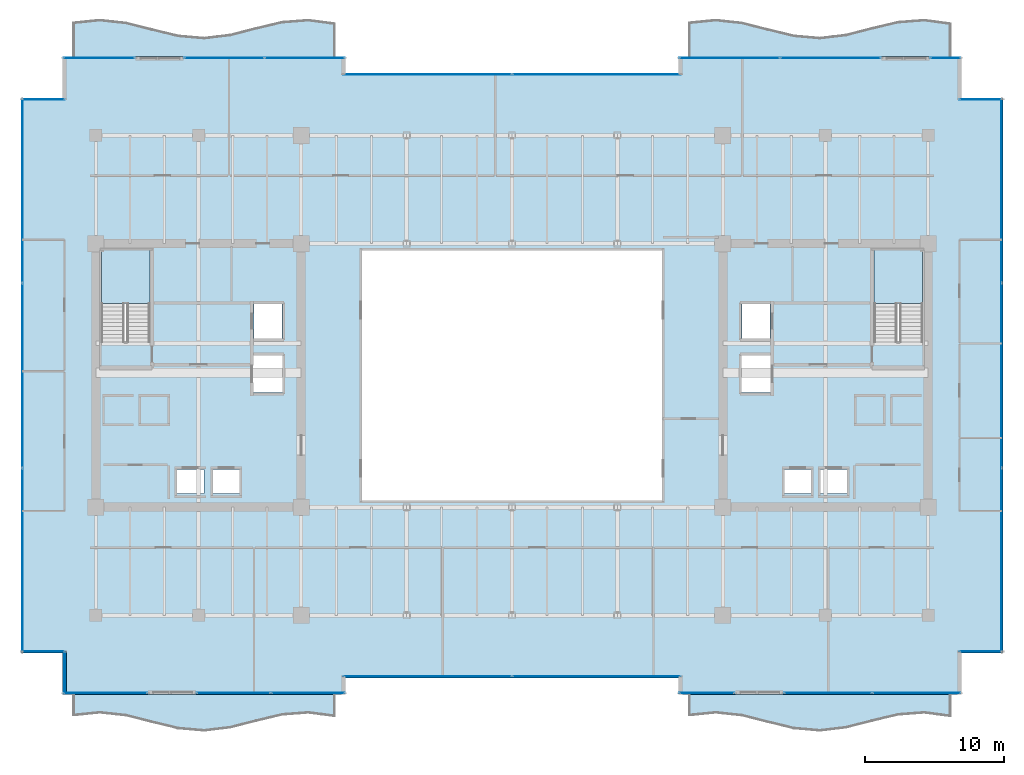
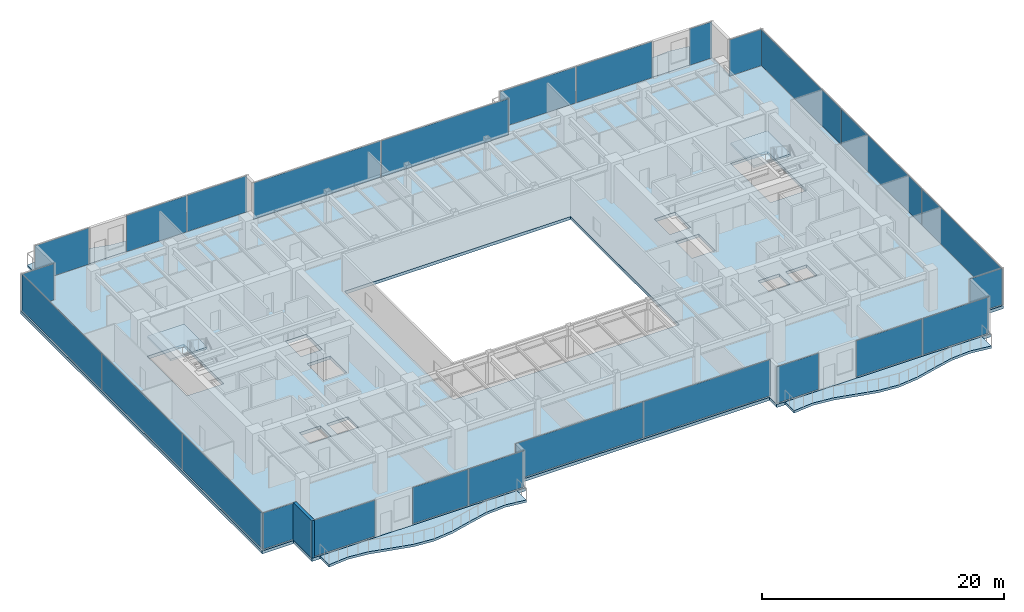
# One storey, part 22 of 30: 26 plates, 7 slabs, 1 wall, 18 elements without a shape of their own.
"""IFC4 building model written with IfcOpenShell, lengths in metres."""

from ifc_helpers import new_model, si_unit, direction, frame, frame_2d, origin, origin_2d, place, context, subcontext, project, spatial, polyline, rectangle, outline, extrude, source, transform, mapped, material, layer, layer_set, type_object, type_shapes, element, aggregate, save


model = new_model("IFC4")

# Units and contexts
model_context = context("Model", 3, precision=1e-05, world=origin(), true_north=direction((0.0, 1.0)))
body_context = subcontext(model_context, "Body", "Model", "MODEL_VIEW")
ifc_project = project(units=[si_unit("LENGTHUNIT", "METRE"), si_unit("AREAUNIT", "SQUARE_METRE"), si_unit("VOLUMEUNIT", "CUBIC_METRE"), si_unit("PLANEANGLEUNIT", "RADIAN"), si_unit("MASSUNIT", "GRAM", prefix="KILO")], contexts=[model_context])

# Site, building, storey
site_placement = place(None, origin())
site = spatial("IfcSite", under=ifc_project, at=site_placement, CompositionType="ELEMENT")
building_placement = place(site_placement, origin())
building = spatial("IfcBuilding", under=site, at=building_placement, Name="Haelvirn Gate Laboratories", CompositionType="ELEMENT")
storey_placement = place(building_placement, frame((0.0, 0.0, 146.10009765625)))
storey = spatial("IfcBuildingStorey", under=building, at=storey_placement, Name="L35", CompositionType="ELEMENT", Elevation=146.10009765625)

# Stair, slab
ifc_material_1 = material(Name="Concrete C40/50", Category="concrete")
stair_type = type_object("IfcStairType", Name="ST-DOG-1650-R22", PredefinedType="HALF_TURN_STAIR", material=ifc_material_1)
stair_1_placement = place(storey_placement, origin())
stair_1 = element("IfcStair", 1, at=stair_1_placement, inside=storey, type_object=stair_type, Name="L35 Escape Stair ST1", PredefinedType="HALF_TURN_STAIR")
ifc_layer_1 = layer(ifc_material_1, 0.199951171875, Name="SL-STAIR-LND")
ifc_layer_set_1 = layer_set([ifc_layer_1], Name="Concrete C40/50")
slab_type_1 = type_object("IfcSlabType", Name="SL-STAIR-LND", PredefinedType="LANDING", material=ifc_layer_set_1)
slab_1_placement = place(storey_placement, frame((0.0, 0.0, 1.849853515625)))
slab_1 = element("IfcSlab", 2, at=slab_1_placement, type_object=slab_type_1, Name="ST1 landing 1", PredefinedType="LANDING", context=body_context, shape_type="SweptSolid", body=[
    extrude(outline(polyline([(11.300048828125, 29.5), (11.300048828125, 33.35009765625), (7.800048828125, 33.35009765625), (7.800048828125, 29.5), (11.300048828125, 29.5)])), origin(), (0.0, 0.0, 1.0), 0.199951171875),
])
aggregate(stair_1, [slab_1])

stair_2_placement = place(storey_placement, origin())
stair_2 = element("IfcStair", 3, at=stair_2_placement, inside=storey, type_object=stair_type, Name="L35 Escape Stair ST2", PredefinedType="HALF_TURN_STAIR")
slab_2_placement = place(storey_placement, frame((0.0, 0.0, 1.849853515625)))
slab_2 = element("IfcSlab", 4, at=slab_2_placement, type_object=slab_type_1, Name="ST2 landing 1", PredefinedType="LANDING", context=body_context, shape_type="SweptSolid", body=[
    extrude(outline(polyline([(67.0, 29.5), (67.0, 33.35009765625), (63.5, 33.35009765625), (63.5, 29.5), (67.0, 29.5)])), origin(), (0.0, 0.0, 1.0), 0.199951171875),
])
aggregate(stair_2, [slab_2])

# Slabs
ifc_layer_2 = layer(ifc_material_1, 0.2451171875, Name="SL-WB-P6")
ifc_layer_set_2 = layer_set([ifc_layer_2], Name="Concrete C40/50")
slab_type_2 = type_object("IfcSlabType", Name="SL-WB-P6", PredefinedType="FLOOR", material=ifc_layer_set_2)
slab_3_placement = place(storey_placement, frame((0.0, 0.0, -0.2451171875)))
element("IfcSlab", 5, at=slab_3_placement, inside=storey, type_object=slab_type_2, Name="L35 Soft-Wave Balcony WL-S", PredefinedType="FLOOR", context=body_context, shape_type="SweptSolid", body=[
    extrude(outline(polyline([(5.800048828125, -0.1904296875), (7.679931640625, 0.0), (9.56005859375, -0.2021484375), (11.43994140625, -0.6748046875), (13.320068359375, -1.13232421875), (15.199951171875, -1.298583984375), (17.080078125, -1.0732421875), (18.9599609375, -0.592041015625), (20.840087890625, -0.14599609375), (22.719970703125, -0.00439453125), (24.60009765625, -0.25244140625), (24.60009765625, 1.300048828125), (22.719970703125, 1.300048828125), (20.840087890625, 1.300048828125), (18.9599609375, 1.300048828125), (17.080078125, 1.300048828125), (15.199951171875, 1.300048828125), (13.320068359375, 1.300048828125), (11.43994140625, 1.300048828125), (9.56005859375, 1.300048828125), (7.679931640625, 1.300048828125), (5.800048828125, 1.300048828125), (5.800048828125, -0.1904296875)])), origin(), (0.0, 0.0, 1.0), 0.2451171875),
])
slab_4_placement = place(storey_placement, frame((0.0, 0.0, -0.2451171875)))
element("IfcSlab", 6, at=slab_4_placement, inside=storey, type_object=slab_type_2, Name="L35 Soft-Wave Balcony WL-N", PredefinedType="FLOOR", context=body_context, shape_type="SweptSolid", body=[
    extrude(outline(polyline([(5.800048828125, 47.300048828125), (7.679931640625, 47.300048828125), (9.56005859375, 47.300048828125), (11.43994140625, 47.300048828125), (13.320068359375, 47.300048828125), (15.199951171875, 47.300048828125), (17.080078125, 47.300048828125), (18.9599609375, 47.300048828125), (20.840087890625, 47.300048828125), (22.719970703125, 47.300048828125), (24.60009765625, 47.300048828125), (24.60009765625, 49.6474609375), (22.719970703125, 49.895751953125), (20.840087890625, 49.75390625), (18.9599609375, 49.307861328125), (17.080078125, 48.826904296875), (15.199951171875, 48.601318359375), (13.320068359375, 48.767578125), (11.43994140625, 49.22509765625), (9.56005859375, 49.69775390625), (7.679931640625, 49.89990234375), (5.800048828125, 49.709716796875), (5.800048828125, 47.300048828125)])), origin(), (0.0, 0.0, 1.0), 0.2451171875),
])
slab_5_placement = place(storey_placement, frame((0.0, 0.0, -0.2451171875)))
element("IfcSlab", 7, at=slab_5_placement, inside=storey, type_object=slab_type_2, Name="L35 Soft-Wave Balcony EL-S", PredefinedType="FLOOR", context=body_context, shape_type="SweptSolid", body=[
    extrude(outline(polyline([(50.199951171875, -0.1904296875), (52.080078125, 0.0), (53.9599609375, -0.2021484375), (55.840087890625, -0.6748046875), (57.719970703125, -1.13232421875), (59.60009765625, -1.298583984375), (61.47998046875, -1.0732421875), (63.360107421875, -0.592041015625), (65.239990234375, -0.14599609375), (67.1201171875, -0.00439453125), (69.0, -0.25244140625), (69.0, 1.300048828125), (67.1201171875, 1.300048828125), (65.239990234375, 1.300048828125), (63.360107421875, 1.300048828125), (61.47998046875, 1.300048828125), (59.60009765625, 1.300048828125), (57.719970703125, 1.300048828125), (55.840087890625, 1.300048828125), (53.9599609375, 1.300048828125), (52.080078125, 1.300048828125), (50.199951171875, 1.300048828125), (50.199951171875, -0.1904296875)])), origin(), (0.0, 0.0, 1.0), 0.2451171875),
])
slab_6_placement = place(storey_placement, frame((0.0, 0.0, -0.2451171875)))
element("IfcSlab", 8, at=slab_6_placement, inside=storey, type_object=slab_type_2, Name="L35 Soft-Wave Balcony EL-N", PredefinedType="FLOOR", context=body_context, shape_type="SweptSolid", body=[
    extrude(outline(polyline([(50.199951171875, 47.300048828125), (52.080078125, 47.300048828125), (53.9599609375, 47.300048828125), (55.840087890625, 47.300048828125), (57.719970703125, 47.300048828125), (59.60009765625, 47.300048828125), (61.47998046875, 47.300048828125), (63.360107421875, 47.300048828125), (65.239990234375, 47.300048828125), (67.1201171875, 47.300048828125), (69.0, 47.300048828125), (69.0, 49.6474609375), (67.1201171875, 49.895751953125), (65.239990234375, 49.75390625), (63.360107421875, 49.307861328125), (61.47998046875, 48.826904296875), (59.60009765625, 48.601318359375), (57.719970703125, 48.767578125), (55.840087890625, 49.22509765625), (53.9599609375, 49.69775390625), (52.080078125, 49.89990234375), (50.199951171875, 49.709716796875), (50.199951171875, 47.300048828125)])), origin(), (0.0, 0.0, 1.0), 0.2451171875),
])
ifc_layer_3 = layer(ifc_material_1, 0.31005859375, Name="SL-Z2-310")
ifc_layer_set_3 = layer_set([ifc_layer_3], Name="Concrete C40/50")
slab_type_3 = type_object("IfcSlabType", Name="SL-Z2-310", PredefinedType="FLOOR", material=ifc_layer_set_3)
slab_7_placement = place(storey_placement, frame((0.0, 0.0, -0.31005859375)))
element("IfcSlab", 9, at=slab_7_placement, inside=storey, type_object=slab_type_3, Name="L35 Structural Slab MAIN", PredefinedType="FLOOR", context=body_context, shape_type="SweptSolid", body=[
    extrude(outline(polyline([(5.0, 1.300048828125), (25.39990234375, 1.300048828125), (25.39990234375, 2.5), (49.39990234375, 2.5), (49.39990234375, 1.300048828125), (69.800048828125, 1.300048828125), (69.800048828125, 4.300048828125), (72.800048828125, 4.300048828125), (72.800048828125, 44.300048828125), (69.800048828125, 44.300048828125), (69.800048828125, 47.300048828125), (49.39990234375, 47.300048828125), (49.39990234375, 46.10009765625), (25.39990234375, 46.10009765625), (25.39990234375, 47.300048828125), (5.0, 47.300048828125), (5.0, 44.300048828125), (2.0, 44.300048828125), (2.0, 4.300048828125), (5.0, 4.300048828125), (5.0, 1.300048828125)]), holes=[polyline([(26.60009765625, 15.300048828125), (48.199951171875, 15.300048828125), (48.199951171875, 33.300048828125), (26.60009765625, 33.300048828125), (26.60009765625, 15.300048828125)]), polyline([(11.300048828125, 26.780029296875), (11.300048828125, 33.35009765625), (7.800048828125, 33.35009765625), (7.800048828125, 26.780029296875), (11.300048828125, 26.780029296875)]), polyline([(67.0, 26.780029296875), (67.0, 33.35009765625), (63.5, 33.35009765625), (63.5, 26.780029296875), (67.0, 26.780029296875)]), polyline([(13.18994140625, 15.77001953125), (15.2099609375, 15.77001953125), (15.2099609375, 17.510009765625), (13.18994140625, 17.510009765625), (13.18994140625, 15.77001953125)]), polyline([(15.7900390625, 15.77001953125), (17.81005859375, 15.77001953125), (17.81005859375, 17.510009765625), (15.7900390625, 17.510009765625), (15.7900390625, 15.77001953125)]), polyline([(18.7900390625, 26.969970703125), (20.81005859375, 26.969970703125), (20.81005859375, 29.510009765625), (18.7900390625, 29.510009765625), (18.7900390625, 26.969970703125)]), polyline([(18.68994140625, 23.070068359375), (20.909912109375, 23.070068359375), (20.909912109375, 25.81005859375), (18.68994140625, 25.81005859375), (18.68994140625, 23.070068359375)]), polyline([(59.590087890625, 15.77001953125), (61.610107421875, 15.77001953125), (61.610107421875, 17.510009765625), (59.590087890625, 17.510009765625), (59.590087890625, 15.77001953125)]), polyline([(56.989990234375, 15.77001953125), (59.010009765625, 15.77001953125), (59.010009765625, 17.510009765625), (56.989990234375, 17.510009765625), (56.989990234375, 15.77001953125)]), polyline([(53.989990234375, 26.969970703125), (56.010009765625, 26.969970703125), (56.010009765625, 29.510009765625), (53.989990234375, 29.510009765625), (53.989990234375, 26.969970703125)]), polyline([(53.889892578125, 23.070068359375), (56.110107421875, 23.070068359375), (56.110107421875, 25.81005859375), (53.889892578125, 25.81005859375), (53.889892578125, 23.070068359375)])]), origin(), (0.0, 0.0, 1.0), 0.31005859375),
])

# Curtain wall, plates
ifc_material_2 = material(Name="Anodised bronze unitised aluminium & triple low-E glass", Category="aluminium")
ifc_layer_4 = layer(ifc_material_2, 0.179931640625, Name="CW-SYS-3")
ifc_layer_set_4 = layer_set([ifc_layer_4], Name="Anodised bronze unitised aluminium & triple low-E glass")
curtain_wall_type_1 = type_object("IfcCurtainWallType", Name="CW-SYS-3", PredefinedType="NOTDEFINED", material=ifc_layer_set_4)
curtain_wall_1_placement = place(storey_placement, origin())
curtain_wall_1 = element("IfcCurtainWall", 10, at=curtain_wall_1_placement, inside=storey, type_object=curtain_wall_type_1, Name="L35 Unitised Curtain Wall CW-L35-P0-E02-1", PredefinedType="NOTDEFINED")
ifc_material_3 = material(Name="High-selectivity bronze triple IGU 40 mm", Category="glass")
ifc_layer_5 = layer(ifc_material_3, 0.0400390625, Name="CWP-IGU-40")
ifc_layer_set_5 = layer_set([ifc_layer_5], Name="High-selectivity bronze triple IGU 40 mm")
plate_type_1 = type_object("IfcPlateType", Name="CWP-IGU-40", PredefinedType="CURTAIN_PANEL", material=ifc_layer_set_5)
shared_shape_1 = source(origin(), body_context, "Body", "SweptSolid", [
    extrude(rectangle(XDim=12.12744140625, YDim=0.0400390625, at=origin_2d()), origin(), (0.0, 0.0, 1.0), 3.659912109375),
])
plate_1_placement = place(storey_placement, frame((31.298828125, 2.60009765625, 0.06494140625), z_axis=(0.0, 0.0, 1.0), x_axis=(1.0, 0.0, 0.0)))
plate_1 = element("IfcPlate", 11, at=plate_1_placement, type_object=plate_type_1, Name="CW3 panel 1.1", PredefinedType="CURTAIN_PANEL", context=body_context, shape_type="MappedRepresentation", body=[
    mapped(shared_shape_1, transform((0.0, 0.0, 0.0), scale=1.0)),
])
plate_2_placement = place(storey_placement, frame((43.501220703125, 2.60009765625, 0.06494140625), z_axis=(0.0, 0.0, 1.0), x_axis=(1.0, 0.0, 0.0)))
plate_2 = element("IfcPlate", 12, at=plate_2_placement, type_object=plate_type_1, Name="CW3 panel 2.1", PredefinedType="CURTAIN_PANEL", context=body_context, shape_type="MappedRepresentation", body=[
    mapped(shared_shape_1, transform((0.0, 0.0, 0.0), scale=1.0)),
])
aggregate(curtain_wall_1, [plate_1, plate_2])

curtain_wall_2_placement = place(storey_placement, origin())
curtain_wall_2 = element("IfcCurtainWall", 13, at=curtain_wall_2_placement, inside=storey, type_object=curtain_wall_type_1, Name="L35 Unitised Curtain Wall CW-L35-P0-E12-1", PredefinedType="NOTDEFINED")
plate_3_placement = place(storey_placement, frame((31.298828125, 46.0, 0.06494140625), z_axis=(0.0, 0.0, 1.0), x_axis=(1.0, 0.0, 0.0)))
plate_3 = element("IfcPlate", 14, at=plate_3_placement, type_object=plate_type_1, Name="CW3 panel 1.1", PredefinedType="CURTAIN_PANEL", context=body_context, shape_type="MappedRepresentation", body=[
    mapped(shared_shape_1, transform((0.0, 0.0, 0.0), scale=1.0)),
])
plate_4_placement = place(storey_placement, frame((43.501220703125, 46.0, 0.06494140625), z_axis=(0.0, 0.0, 1.0), x_axis=(1.0, 0.0, 0.0)))
plate_4 = element("IfcPlate", 15, at=plate_4_placement, type_object=plate_type_1, Name="CW3 panel 2.1", PredefinedType="CURTAIN_PANEL", context=body_context, shape_type="MappedRepresentation", body=[
    mapped(shared_shape_1, transform((0.0, 0.0, 0.0), scale=1.0)),
])
aggregate(curtain_wall_2, [plate_3, plate_4])

# Curtain wall, plate
ifc_layer_6 = layer(ifc_material_2, 0.181884765625, Name="CW-SYS-5")
ifc_layer_set_6 = layer_set([ifc_layer_6], Name="Anodised bronze unitised aluminium & triple low-E glass")
curtain_wall_type_2 = type_object("IfcCurtainWallType", Name="CW-SYS-5", PredefinedType="NOTDEFINED", material=ifc_layer_set_6)
curtain_wall_3_placement = place(storey_placement, origin())
curtain_wall_3 = element("IfcCurtainWall", 16, at=curtain_wall_3_placement, inside=storey, type_object=curtain_wall_type_2, Name="L35 Unitised Curtain Wall CW-L35-P0-E06-1", PredefinedType="NOTDEFINED")
ifc_material_4 = material(Name="Clear low-iron notched-corner triple IGU 42 mm", Category="glass")
ifc_layer_7 = layer(ifc_material_4, 0.0419921875, Name="CWP-NTC-42")
ifc_layer_set_7 = layer_set([ifc_layer_7], Name="Clear low-iron notched-corner triple IGU 42 mm")
plate_type_2 = type_object("IfcPlateType", Name="CWP-NTC-42", PredefinedType="CURTAIN_PANEL", material=ifc_layer_set_7)
shared_shape_2 = source(origin(), body_context, "Body", "SweptSolid", [
    extrude(rectangle(XDim=3.080078125, YDim=0.0419921875, at=origin_2d()), origin(), (0.0, 0.0, 1.0), 3.659912109375),
])
type_shapes(plate_type_2, [shared_shape_2])
plate_5_placement = place(storey_placement, frame((71.179931640625, 4.39990234375, 0.06494140625), z_axis=(0.0, 0.0, 1.0), x_axis=(1.0, 0.0, 0.0)))
plate_5 = element("IfcPlate", 17, at=plate_5_placement, type_object=plate_type_2, Name="CW5 panel 1.1", PredefinedType="CURTAIN_PANEL", context=body_context, shape_type="MappedRepresentation", body=[
    mapped(shared_shape_2, transform((0.0, 0.0, 0.0), scale=1.0)),
])
aggregate(curtain_wall_3, [plate_5])

curtain_wall_4_placement = place(storey_placement, origin())
curtain_wall_4 = element("IfcCurtainWall", 18, at=curtain_wall_4_placement, inside=storey, type_object=curtain_wall_type_2, Name="L35 Unitised Curtain Wall CW-L35-P0-E08-1", PredefinedType="NOTDEFINED")
plate_6_placement = place(storey_placement, frame((71.179931640625, 44.199951171875, 0.06494140625), z_axis=(0.0, 0.0, 1.0), x_axis=(1.0, 0.0, 0.0)))
plate_6 = element("IfcPlate", 19, at=plate_6_placement, type_object=plate_type_2, Name="CW5 panel 1.1", PredefinedType="CURTAIN_PANEL", context=body_context, shape_type="MappedRepresentation", body=[
    mapped(shared_shape_2, transform((0.0, 0.0, 0.0), scale=1.0)),
])
aggregate(curtain_wall_4, [plate_6])

curtain_wall_5_placement = place(storey_placement, origin())
curtain_wall_5 = element("IfcCurtainWall", 20, at=curtain_wall_5_placement, inside=storey, type_object=curtain_wall_type_2, Name="L35 Unitised Curtain Wall CW-L35-P0-E16-1", PredefinedType="NOTDEFINED")
plate_7_placement = place(storey_placement, frame((3.6201171875, 44.199951171875, 0.06494140625), z_axis=(0.0, 0.0, 1.0), x_axis=(1.0, 0.0, 0.0)))
plate_7 = element("IfcPlate", 21, at=plate_7_placement, type_object=plate_type_2, Name="CW5 panel 1.1", PredefinedType="CURTAIN_PANEL", context=body_context, shape_type="MappedRepresentation", body=[
    mapped(shared_shape_2, transform((0.0, 0.0, 0.0), scale=1.0)),
])
aggregate(curtain_wall_5, [plate_7])

curtain_wall_6_placement = place(storey_placement, origin())
curtain_wall_6 = element("IfcCurtainWall", 22, at=curtain_wall_6_placement, inside=storey, type_object=curtain_wall_type_2, Name="L35 Unitised Curtain Wall CW-L35-P0-E18-1", PredefinedType="NOTDEFINED")
plate_8_placement = place(storey_placement, frame((3.6201171875, 4.39990234375, 0.06494140625), z_axis=(0.0, 0.0, 1.0), x_axis=(1.0, 0.0, 0.0)))
plate_8 = element("IfcPlate", 23, at=plate_8_placement, type_object=plate_type_2, Name="CW5 panel 1.1", PredefinedType="CURTAIN_PANEL", context=body_context, shape_type="MappedRepresentation", body=[
    mapped(shared_shape_2, transform((0.0, 0.0, 0.0), scale=1.0)),
])
aggregate(curtain_wall_6, [plate_8])

# Curtain wall, plates
curtain_wall_7_placement = place(storey_placement, origin())
curtain_wall_7 = element("IfcCurtainWall", 24, at=curtain_wall_7_placement, inside=storey, type_object=curtain_wall_type_1, Name="L35 Unitised Curtain Wall CW-L35-P0-E07", PredefinedType="NOTDEFINED")
shared_shape_3 = source(origin(), body_context, "Body", "SweptSolid", [
    extrude(rectangle(XDim=13.220947265625, YDim=0.0400390625, at=origin_2d()), origin(), (0.0, 0.0, 1.0), 3.659912109375),
])
plate_9_placement = place(storey_placement, frame((72.699951171875, 10.9853515625, 0.06494140625), z_axis=(0.0, 0.0, 1.0), x_axis=(0.0, 1.0, 0.0)))
plate_9 = element("IfcPlate", 25, at=plate_9_placement, type_object=plate_type_1, Name="CW3 panel 1.1", PredefinedType="CURTAIN_PANEL", context=body_context, shape_type="MappedRepresentation", body=[
    mapped(shared_shape_3, transform((0.0, 0.0, 0.0), scale=1.0)),
])
plate_10_placement = place(storey_placement, frame((72.699951171875, 37.614501953125, 0.06494140625), z_axis=(0.0, 0.0, 1.0), x_axis=(0.0, 1.0, 0.0)))
plate_10 = element("IfcPlate", 26, at=plate_10_placement, type_object=plate_type_1, Name="CW3 panel 3.1", PredefinedType="CURTAIN_PANEL", context=body_context, shape_type="MappedRepresentation", body=[
    mapped(shared_shape_3, transform((0.0, 0.0, 0.0), scale=1.0)),
])

curtain_wall_8_placement = place(storey_placement, origin())
curtain_wall_8 = element("IfcCurtainWall", 27, at=curtain_wall_8_placement, inside=storey, type_object=curtain_wall_type_1, Name="L35 Unitised Curtain Wall CW-L35-P0-E17", PredefinedType="NOTDEFINED")
plate_11_placement = place(storey_placement, frame((2.10009765625, 37.614501953125, 0.06494140625), z_axis=(0.0, 0.0, 1.0), x_axis=(0.0, -1.0, 0.0)))
plate_11 = element("IfcPlate", 28, at=plate_11_placement, type_object=plate_type_1, Name="CW3 panel 1.1", PredefinedType="CURTAIN_PANEL", context=body_context, shape_type="MappedRepresentation", body=[
    mapped(shared_shape_3, transform((0.0, 0.0, 0.0), scale=1.0)),
])
plate_12_placement = place(storey_placement, frame((2.10009765625, 10.9853515625, 0.06494140625), z_axis=(0.0, 0.0, 1.0), x_axis=(0.0, -1.0, 0.0)))
plate_12 = element("IfcPlate", 29, at=plate_12_placement, type_object=plate_type_1, Name="CW3 panel 3.1", PredefinedType="CURTAIN_PANEL", context=body_context, shape_type="MappedRepresentation", body=[
    mapped(shared_shape_3, transform((0.0, 0.0, 0.0), scale=1.0)),
])

# Plate
shared_shape_4 = source(origin(), body_context, "Body", "SweptSolid", [
    extrude(rectangle(XDim=13.25830078125, YDim=0.0400390625, at=origin_2d()), origin(), (0.0, 0.0, 1.0), 3.659912109375),
])
plate_13_placement = place(storey_placement, frame((72.699951171875, 24.300048828125, 0.06494140625), z_axis=(0.0, 0.0, 1.0), x_axis=(0.0, 1.0, 0.0)))
plate_13 = element("IfcPlate", 30, at=plate_13_placement, type_object=plate_type_1, Name="CW3 panel 2.1", PredefinedType="CURTAIN_PANEL", context=body_context, shape_type="MappedRepresentation", body=[
    mapped(shared_shape_4, transform((0.0, 0.0, 0.0), scale=1.0)),
])

aggregate(curtain_wall_7, [plate_9, plate_13, plate_10])

plate_14_placement = place(storey_placement, frame((2.10009765625, 24.300048828125, 0.06494140625), z_axis=(0.0, 0.0, 1.0), x_axis=(0.0, -1.0, 0.0)))
plate_14 = element("IfcPlate", 31, at=plate_14_placement, type_object=plate_type_1, Name="CW3 panel 2.1", PredefinedType="CURTAIN_PANEL", context=body_context, shape_type="MappedRepresentation", body=[
    mapped(shared_shape_4, transform((0.0, 0.0, 0.0), scale=1.0)),
])

aggregate(curtain_wall_8, [plate_11, plate_14, plate_12])

# Curtain wall, plate
curtain_wall_9_placement = place(storey_placement, origin())
curtain_wall_9 = element("IfcCurtainWall", 32, at=curtain_wall_9_placement, inside=storey, type_object=curtain_wall_type_1, Name="L35 Unitised Curtain Wall CW-L35-P0-E10-2", PredefinedType="NOTDEFINED")
shared_shape_5 = source(origin(), body_context, "Body", "SweptSolid", [
    extrude(rectangle(XDim=2.159912109375, YDim=0.0400390625, at=origin_2d()), origin(), (0.0, 0.0, 1.0), 3.659912109375),
])
plate_15_placement = place(storey_placement, frame((68.64501953125, 47.199951171875, 0.06494140625), z_axis=(0.0, 0.0, 1.0), x_axis=(1.0, 0.0, 0.0)))
plate_15 = element("IfcPlate", 33, at=plate_15_placement, type_object=plate_type_1, Name="CW3 panel 1.1", PredefinedType="CURTAIN_PANEL", context=body_context, shape_type="MappedRepresentation", body=[
    mapped(shared_shape_5, transform((0.0, 0.0, 0.0), scale=1.0)),
])
aggregate(curtain_wall_9, [plate_15])

# Curtain wall, plates
curtain_wall_10_placement = place(storey_placement, origin())
curtain_wall_10 = element("IfcCurtainWall", 34, at=curtain_wall_10_placement, inside=storey, type_object=curtain_wall_type_1, Name="L35 Unitised Curtain Wall CW-L35-P0-E10-1", PredefinedType="NOTDEFINED")
shared_shape_6 = source(origin(), body_context, "Body", "SweptSolid", [
    extrude(rectangle(XDim=7.21240234375, YDim=0.0400390625, at=origin_2d()), origin(), (0.0, 0.0, 1.0), 3.659912109375),
])
plate_16_placement = place(storey_placement, frame((53.081298828125, 47.199951171875, 0.06494140625), z_axis=(0.0, 0.0, 1.0), x_axis=(1.0, 0.0, 0.0)))
plate_16 = element("IfcPlate", 35, at=plate_16_placement, type_object=plate_type_1, Name="CW3 panel 1.1", PredefinedType="CURTAIN_PANEL", context=body_context, shape_type="MappedRepresentation", body=[
    mapped(shared_shape_6, transform((0.0, 0.0, 0.0), scale=1.0)),
])
plate_17_placement = place(storey_placement, frame((60.36865234375, 47.199951171875, 0.06494140625), z_axis=(0.0, 0.0, 1.0), x_axis=(1.0, 0.0, 0.0)))
plate_17 = element("IfcPlate", 36, at=plate_17_placement, type_object=plate_type_1, Name="CW3 panel 2.1", PredefinedType="CURTAIN_PANEL", context=body_context, shape_type="MappedRepresentation", body=[
    mapped(shared_shape_6, transform((0.0, 0.0, 0.0), scale=1.0)),
])
aggregate(curtain_wall_10, [plate_16, plate_17])

# Curtain wall, plate
curtain_wall_11_placement = place(storey_placement, origin())
curtain_wall_11 = element("IfcCurtainWall", 37, at=curtain_wall_11_placement, inside=storey, type_object=curtain_wall_type_1, Name="L35 Unitised Curtain Wall CW-L35-P0-E00-1", PredefinedType="NOTDEFINED")
shared_shape_7 = source(origin(), body_context, "Body", "SweptSolid", [
    extrude(rectangle(XDim=6.02001953125, YDim=0.0400390625, at=origin_2d()), origin(), (0.0, 0.0, 1.0), 3.659912109375),
])
plate_18_placement = place(storey_placement, frame((8.0849609375, 1.39990234375, 0.06494140625), z_axis=(0.0, 0.0, 1.0), x_axis=(1.0, 0.0, 0.0)))
plate_18 = element("IfcPlate", 38, at=plate_18_placement, type_object=plate_type_1, Name="CW3 panel 1.1", PredefinedType="CURTAIN_PANEL", context=body_context, shape_type="MappedRepresentation", body=[
    mapped(shared_shape_7, transform((0.0, 0.0, 0.0), scale=1.0)),
])
aggregate(curtain_wall_11, [plate_18])

# Curtain wall, plates
curtain_wall_12_placement = place(storey_placement, origin())
curtain_wall_12 = element("IfcCurtainWall", 39, at=curtain_wall_12_placement, inside=storey, type_object=curtain_wall_type_1, Name="L35 Unitised Curtain Wall CW-L35-P0-E00-2", PredefinedType="NOTDEFINED")
shared_shape_8 = source(origin(), body_context, "Body", "SweptSolid", [
    extrude(rectangle(XDim=5.282470703125, YDim=0.0400390625, at=origin_2d()), origin(), (0.0, 0.0, 1.0), 3.659912109375),
])
plate_19_placement = place(storey_placement, frame((17.326171875, 1.39990234375, 0.06494140625), z_axis=(0.0, 0.0, 1.0), x_axis=(1.0, 0.0, 0.0)))
plate_19 = element("IfcPlate", 40, at=plate_19_placement, type_object=plate_type_1, Name="CW3 panel 1.1", PredefinedType="CURTAIN_PANEL", context=body_context, shape_type="MappedRepresentation", body=[
    mapped(shared_shape_8, transform((0.0, 0.0, 0.0), scale=1.0)),
])
plate_20_placement = place(storey_placement, frame((22.683837890625, 1.39990234375, 0.06494140625), z_axis=(0.0, 0.0, 1.0), x_axis=(1.0, 0.0, 0.0)))
plate_20 = element("IfcPlate", 41, at=plate_20_placement, type_object=plate_type_1, Name="CW3 panel 2.1", PredefinedType="CURTAIN_PANEL", context=body_context, shape_type="MappedRepresentation", body=[
    mapped(shared_shape_8, transform((0.0, 0.0, 0.0), scale=1.0)),
])
aggregate(curtain_wall_12, [plate_19, plate_20])

# Curtain wall, plate
curtain_wall_13_placement = place(storey_placement, origin())
curtain_wall_13 = element("IfcCurtainWall", 42, at=curtain_wall_13_placement, inside=storey, type_object=curtain_wall_type_1, Name="L35 Unitised Curtain Wall CW-L35-P0-E04-1", PredefinedType="NOTDEFINED")
shared_shape_9 = source(origin(), body_context, "Body", "SweptSolid", [
    extrude(rectangle(XDim=3.955078125, YDim=0.0400390625, at=origin_2d()), origin(), (0.0, 0.0, 1.0), 3.659912109375),
])
plate_21_placement = place(storey_placement, frame((51.452392578125, 1.39990234375, 0.06494140625), z_axis=(0.0, 0.0, 1.0), x_axis=(1.0, 0.0, 0.0)))
plate_21 = element("IfcPlate", 43, at=plate_21_placement, type_object=plate_type_1, Name="CW3 panel 1.1", PredefinedType="CURTAIN_PANEL", context=body_context, shape_type="MappedRepresentation", body=[
    mapped(shared_shape_9, transform((0.0, 0.0, 0.0), scale=1.0)),
])
aggregate(curtain_wall_13, [plate_21])

# Curtain wall, plates
curtain_wall_14_placement = place(storey_placement, origin())
curtain_wall_14 = element("IfcCurtainWall", 44, at=curtain_wall_14_placement, inside=storey, type_object=curtain_wall_type_1, Name="L35 Unitised Curtain Wall CW-L35-P0-E04-2", PredefinedType="NOTDEFINED")
shared_shape_10 = source(origin(), body_context, "Body", "SweptSolid", [
    extrude(rectangle(XDim=6.31494140625, YDim=0.0400390625, at=origin_2d()), origin(), (0.0, 0.0, 1.0), 3.659912109375),
])
plate_22_placement = place(storey_placement, frame((60.177490234375, 1.39990234375, 0.06494140625), z_axis=(0.0, 0.0, 1.0), x_axis=(1.0, 0.0, 0.0)))
plate_22 = element("IfcPlate", 45, at=plate_22_placement, type_object=plate_type_1, Name="CW3 panel 1.1", PredefinedType="CURTAIN_PANEL", context=body_context, shape_type="MappedRepresentation", body=[
    mapped(shared_shape_10, transform((0.0, 0.0, 0.0), scale=1.0)),
])
plate_23_placement = place(storey_placement, frame((66.5673828125, 1.39990234375, 0.06494140625), z_axis=(0.0, 0.0, 1.0), x_axis=(1.0, 0.0, 0.0)))
plate_23 = element("IfcPlate", 46, at=plate_23_placement, type_object=plate_type_1, Name="CW3 panel 2.1", PredefinedType="CURTAIN_PANEL", context=body_context, shape_type="MappedRepresentation", body=[
    mapped(shared_shape_10, transform((0.0, 0.0, 0.0), scale=1.0)),
])
aggregate(curtain_wall_14, [plate_22, plate_23])

# Curtain wall, plate
curtain_wall_15_placement = place(storey_placement, origin())
curtain_wall_15 = element("IfcCurtainWall", 47, at=curtain_wall_15_placement, inside=storey, type_object=curtain_wall_type_1, Name="L35 Unitised Curtain Wall CW-L35-P0-E14-1", PredefinedType="NOTDEFINED")
shared_shape_11 = source(origin(), body_context, "Body", "SweptSolid", [
    extrude(rectangle(XDim=5.1201171875, YDim=0.0400390625, at=origin_2d()), origin(), (0.0, 0.0, 1.0), 3.659912109375),
])
plate_24_placement = place(storey_placement, frame((7.635009765625, 47.199951171875, 0.06494140625), z_axis=(0.0, 0.0, 1.0), x_axis=(1.0, 0.0, 0.0)))
plate_24 = element("IfcPlate", 48, at=plate_24_placement, type_object=plate_type_1, Name="CW3 panel 1.1", PredefinedType="CURTAIN_PANEL", context=body_context, shape_type="MappedRepresentation", body=[
    mapped(shared_shape_11, transform((0.0, 0.0, 0.0), scale=1.0)),
])
aggregate(curtain_wall_15, [plate_24])

# Curtain wall, plates
curtain_wall_16_placement = place(storey_placement, origin())
curtain_wall_16 = element("IfcCurtainWall", 49, at=curtain_wall_16_placement, inside=storey, type_object=curtain_wall_type_1, Name="L35 Unitised Curtain Wall CW-L35-P0-E14-2", PredefinedType="NOTDEFINED")
shared_shape_12 = source(origin(), body_context, "Body", "SweptSolid", [
    extrude(rectangle(XDim=5.732421875, YDim=0.0400390625, at=origin_2d()), origin(), (0.0, 0.0, 1.0), 3.659912109375),
])
type_shapes(plate_type_1, [shared_shape_1, shared_shape_3, shared_shape_4, shared_shape_5, shared_shape_6, shared_shape_7, shared_shape_8, shared_shape_9, shared_shape_10, shared_shape_11, shared_shape_12])
plate_25_placement = place(storey_placement, frame((16.6513671875, 47.199951171875, 0.06494140625), z_axis=(0.0, 0.0, 1.0), x_axis=(1.0, 0.0, 0.0)))
plate_25 = element("IfcPlate", 50, at=plate_25_placement, type_object=plate_type_1, Name="CW3 panel 1.1", PredefinedType="CURTAIN_PANEL", context=body_context, shape_type="MappedRepresentation", body=[
    mapped(shared_shape_12, transform((0.0, 0.0, 0.0), scale=1.0)),
])
plate_26_placement = place(storey_placement, frame((22.458740234375, 47.199951171875, 0.06494140625), z_axis=(0.0, 0.0, 1.0), x_axis=(1.0, 0.0, 0.0)))
plate_26 = element("IfcPlate", 51, at=plate_26_placement, type_object=plate_type_1, Name="CW3 panel 2.1", PredefinedType="CURTAIN_PANEL", context=body_context, shape_type="MappedRepresentation", body=[
    mapped(shared_shape_12, transform((0.0, 0.0, 0.0), scale=1.0)),
])
aggregate(curtain_wall_16, [plate_25, plate_26])

# Wall
ifc_material_5 = material(Name="Thermally-broken bronze aluminium rainscreen & mineral wool", Category="aluminium")
ifc_layer_8 = layer(ifc_material_5, 0.280029296875, Name="EW-TERR-280")
ifc_layer_set_8 = layer_set([ifc_layer_8], Name="Thermally-broken bronze aluminium rainscreen & mineral wool")
wall_type = type_object("IfcWallType", Name="EW-TERR-280", PredefinedType="STANDARD", material=ifc_layer_set_8)
wall_placement = place(storey_placement, frame((5.139892578125, 4.387939453125, 0.0), z_axis=(0.0, 0.0, 1.0), x_axis=(0.0, -1.0, 0.0)))
element("IfcWall", 52, at=wall_placement, inside=storey, type_object=wall_type, Name="L35 Atrium Recess Bronze Return Wall 19", PredefinedType="STANDARD", context=body_context, shape_type="SweptSolid", body=[
    extrude(rectangle(XDim=3.087890625, YDim=0.280029296875, at=frame_2d((1.5439453125, 0.0))), origin(), (0.0, 0.0, 1.0), 3.789794921875),
])

save(model, "model.ifc")
